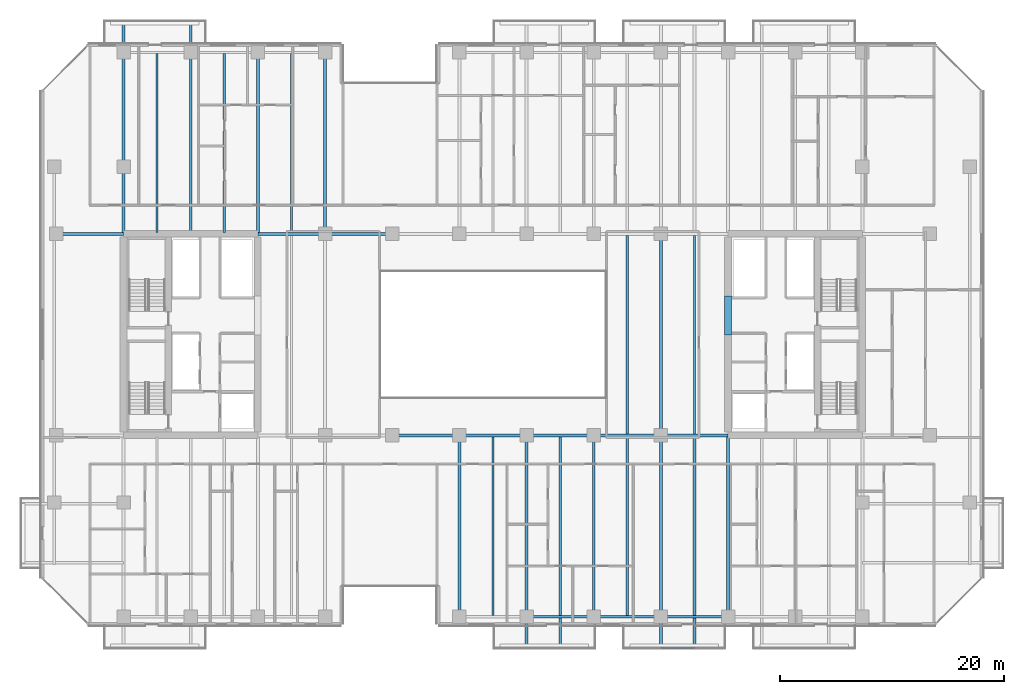
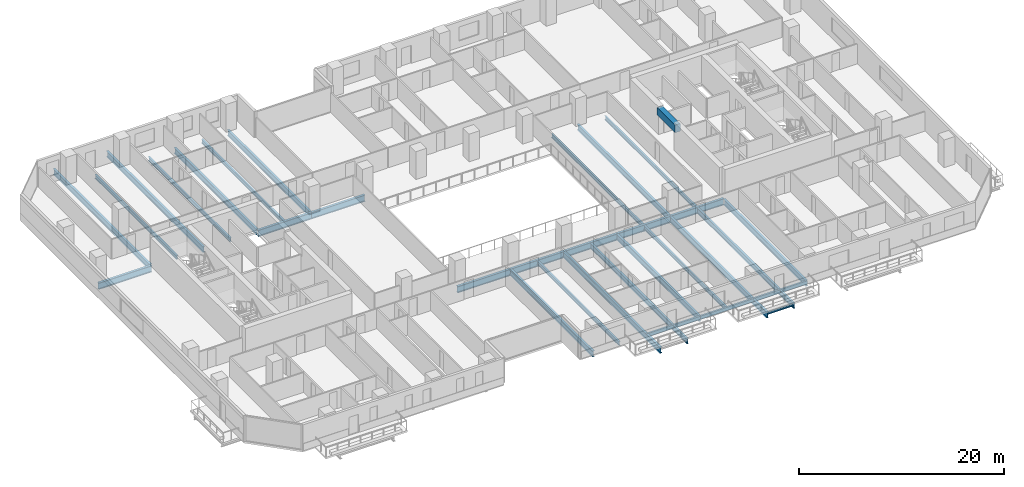
# One storey, part 7 of 33: 32 beams.
"""IFC4 building model written with IfcOpenShell, lengths in metres."""

from ifc_helpers import new_model, si_unit, direction, frame, origin, origin_2d, place, context, subcontext, project, spatial, rectangle, hollow_rectangle, i_section, extrude, material, material_profile, profile_set, type_object, element, save


model = new_model("IFC4")

# Units and contexts
model_context = context("Model", 3, precision=1e-05, world=origin(), true_north=direction((0.0, 1.0)))
body_context = subcontext(model_context, "Body", "Model", "MODEL_VIEW")
ifc_project = project(units=[si_unit("LENGTHUNIT", "METRE"), si_unit("AREAUNIT", "SQUARE_METRE"), si_unit("VOLUMEUNIT", "CUBIC_METRE"), si_unit("PLANEANGLEUNIT", "RADIAN"), si_unit("MASSUNIT", "GRAM", prefix="KILO")], contexts=[model_context])

# Site, building, storey
site_placement = place(None, origin())
site = spatial("IfcSite", under=ifc_project, at=site_placement, CompositionType="ELEMENT")
building_placement = place(site_placement, origin())
building = spatial("IfcBuilding", under=site, at=building_placement, Name="Tanjung Sevakor Pilgrim Tower", CompositionType="ELEMENT")
storey_placement = place(building_placement, frame((0.0, 0.0, 38.93994140625)))
storey = spatial("IfcBuildingStorey", under=building, at=storey_placement, Name="L10", CompositionType="ELEMENT", Elevation=38.93994140625)

# Beams
ifc_material_1 = material(Name="Steel S355J2", Category="steel")
ifc_material_profile_1 = material_profile(ifc_material_1, i_section(OverallWidth=0.26806640625, OverallDepth=0.769775390625, WebThickness=0.015625, FlangeThickness=0.025390625, FilletRadius=0.0166015625, at=origin_2d()))
ifc_profile_set_1 = profile_set([ifc_material_profile_1], Name="Steel S355J2")
beam_type_1 = type_object("IfcBeamType", Name="BM-B-G1-UB_762x267x197", PredefinedType="BEAM", material=ifc_profile_set_1)
for number, where, z_axis, x_axis, name in (
    (1, (48.0, 24.60009765625, -0.604736328125), (1.0, 0.0, 0.0), (0.0, 1.0, 0.0), "L10 Primary Floor Girder MAIN Y246-04"),
    (2, (54.0, 24.60009765625, -0.604736328125), (1.0, 0.0, 0.0), (0.0, 1.0, 0.0), "L10 Primary Floor Girder MAIN Y246-05"),
    (3, (60.0, 24.60009765625, -0.604736328125), (1.0, 0.0, 0.0), (0.0, 1.0, 0.0), "L10 Primary Floor Girder MAIN Y246-06"),
    (4, (66.0, 24.60009765625, -0.604736328125), (1.0, 0.0, 0.0), (0.0, 1.0, 0.0), "L10 Primary Floor Girder MAIN Y246-07"),
    (5, (72.0, 24.60009765625, -0.604736328125), (1.0, 0.0, 0.0), (0.0, 1.0, 0.0), "L10 Primary Floor Girder MAIN Y246-08"),
    (6, (18.0, 42.60009765625, -0.604736328125), (1.0, 0.0, 0.0), (0.0, 1.0, 0.0), "L10 Primary Floor Girder MAIN Y426-01"),
    (7, (36.0, 42.60009765625, -0.604736328125), (1.0, 0.0, 0.0), (0.0, 1.0, 0.0), "L10 Primary Floor Girder MAIN Y426-02"),
    (8, (42.0, 42.60009765625, -0.604736328125), (1.0, 0.0, 0.0), (0.0, 1.0, 0.0), "L10 Primary Floor Girder MAIN Y426-03"),
):
    element("IfcBeam", number, at=place(storey_placement, frame(where, z_axis=z_axis, x_axis=x_axis)), inside=storey, type_object=beam_type_1, Name=name, PredefinedType="BEAM", context=body_context, shape_type="SweptSolid", body=[
        extrude(i_section(OverallWidth=0.26806640625, OverallDepth=0.769775390625, WebThickness=0.015625, FlangeThickness=0.025390625, FilletRadius=0.0166015625, at=origin_2d()), origin(), (0.0, 0.0, 1.0), 6.0),
    ])
ifc_material_2 = material(Name="Steel S355J2", Category="steel")
ifc_material_profile_2 = material_profile(ifc_material_2, i_section(OverallWidth=0.25439453125, OverallDepth=0.6875, WebThickness=0.01318359375, FlangeThickness=0.02099609375, FilletRadius=0.01513671875, at=origin_2d()))
ifc_profile_set_2 = profile_set([ifc_material_profile_2], Name="Steel S355J2")
beam_type_2 = type_object("IfcBeamType", Name="BM-B-G2-UB_686x254x152", PredefinedType="BEAM", material=ifc_profile_set_2)
for number, where, z_axis, x_axis, name in (
    (9, (24.0, 42.73388671875, -0.563720703125), (0.0, 1.0, 0.0), (-1.0, 0.0, 0.0), "L10 Balcony Cantilever Beam MAIN-N1-1"),
    (10, (30.0, 42.73388671875, -0.563720703125), (0.0, 1.0, 0.0), (-1.0, 0.0, 0.0), "L10 Balcony Cantilever Beam MAIN-N1-2"),
):
    element("IfcBeam", number, at=place(storey_placement, frame(where, z_axis=z_axis, x_axis=x_axis)), inside=storey, type_object=beam_type_2, Name=name, PredefinedType="BEAM", context=body_context, shape_type="SweptSolid", body=[
        extrude(i_section(OverallWidth=0.25439453125, OverallDepth=0.6875, WebThickness=0.01318359375, FlangeThickness=0.02099609375, FilletRadius=0.01513671875, at=origin_2d()), origin(), (0.0, 0.0, 1.0), 18.84619140625),
    ])
beam_1_placement = place(storey_placement, frame((36.0, 42.73388671875, -0.563720703125), z_axis=(0.0, 1.0, 0.0), x_axis=(-1.0, 0.0, 0.0)))
element("IfcBeam", 11, at=beam_1_placement, inside=storey, type_object=beam_type_2, Name="L10 MAIN Girder 006", PredefinedType="BEAM", context=body_context, shape_type="SweptSolid", body=[
    extrude(i_section(OverallWidth=0.25439453125, OverallDepth=0.6875, WebThickness=0.01318359375, FlangeThickness=0.02099609375, FilletRadius=0.01513671875, at=origin_2d()), origin(), (0.0, 0.0, 1.0), 16.066162109375),
])
beam_2_placement = place(storey_placement, frame((42.0, 42.60009765625, -0.563720703125), z_axis=(0.0, 1.0, 0.0), x_axis=(-1.0, 0.0, 0.0)))
element("IfcBeam", 12, at=beam_2_placement, inside=storey, type_object=beam_type_2, Name="L10 MAIN Girder 012", PredefinedType="BEAM", context=body_context, shape_type="SweptSolid", body=[
    extrude(i_section(OverallWidth=0.25439453125, OverallDepth=0.6875, WebThickness=0.01318359375, FlangeThickness=0.02099609375, FilletRadius=0.01513671875, at=origin_2d()), origin(), (0.0, 0.0, 1.0), 16.199951171875),
])
beam_3_placement = place(storey_placement, frame((54.0, 8.39990234375, -0.563720703125), z_axis=(0.0, 1.0, 0.0), x_axis=(-1.0, 0.0, 0.0)))
element("IfcBeam", 13, at=beam_3_placement, inside=storey, type_object=beam_type_2, Name="L10 MAIN Girder 013", PredefinedType="BEAM", context=body_context, shape_type="SweptSolid", body=[
    extrude(i_section(OverallWidth=0.25439453125, OverallDepth=0.6875, WebThickness=0.01318359375, FlangeThickness=0.02099609375, FilletRadius=0.01513671875, at=origin_2d()), origin(), (0.0, 0.0, 1.0), 16.2001953125),
])
beam_4_placement = place(storey_placement, frame((60.0, 24.60009765625, -0.563720703125), z_axis=(0.0, -1.0, 0.0), x_axis=(1.0, 0.0, 0.0)))
element("IfcBeam", 14, at=beam_4_placement, inside=storey, type_object=beam_type_2, Name="L10 Balcony Cantilever Beam MAIN-S2-1", PredefinedType="BEAM", context=body_context, shape_type="SweptSolid", body=[
    extrude(i_section(OverallWidth=0.25439453125, OverallDepth=0.6875, WebThickness=0.01318359375, FlangeThickness=0.02099609375, FilletRadius=0.01513671875, at=origin_2d()), origin(), (0.0, 0.0, 1.0), 18.97998046875),
])
beam_5_placement = place(storey_placement, frame((66.0, 8.39990234375, -0.563720703125), z_axis=(0.0, 1.0, 0.0), x_axis=(-1.0, 0.0, 0.0)))
element("IfcBeam", 15, at=beam_5_placement, inside=storey, type_object=beam_type_2, Name="L10 MAIN Girder 017", PredefinedType="BEAM", context=body_context, shape_type="SweptSolid", body=[
    extrude(i_section(OverallWidth=0.25439453125, OverallDepth=0.6875, WebThickness=0.01318359375, FlangeThickness=0.02099609375, FilletRadius=0.01513671875, at=origin_2d()), origin(), (0.0, 0.0, 1.0), 16.2001953125),
])
beam_6_placement = place(storey_placement, frame((72.0, 24.60009765625, -0.563720703125), z_axis=(0.0, -1.0, 0.0), x_axis=(1.0, 0.0, 0.0)))
element("IfcBeam", 16, at=beam_6_placement, inside=storey, type_object=beam_type_2, Name="L10 Balcony Cantilever Beam MAIN-S3-1", PredefinedType="BEAM", context=body_context, shape_type="SweptSolid", body=[
    extrude(i_section(OverallWidth=0.25439453125, OverallDepth=0.6875, WebThickness=0.01318359375, FlangeThickness=0.02099609375, FilletRadius=0.01513671875, at=origin_2d()), origin(), (0.0, 0.0, 1.0), 18.97998046875),
])
beam_7_placement = place(storey_placement, frame((72.0, 24.60009765625, -0.563720703125), z_axis=(0.0, 1.0, 0.0), x_axis=(-1.0, 0.0, 0.0)))
element("IfcBeam", 17, at=beam_7_placement, inside=storey, type_object=beam_type_2, Name="L10 MAIN Girder 022", PredefinedType="BEAM", context=body_context, shape_type="SweptSolid", body=[
    extrude(i_section(OverallWidth=0.25439453125, OverallDepth=0.6875, WebThickness=0.01318359375, FlangeThickness=0.02099609375, FilletRadius=0.01513671875, at=origin_2d()), origin(), (0.0, 0.0, 1.0), 18.0),
])
beam_8_placement = place(storey_placement, frame((78.0, 8.39990234375, -0.563720703125), z_axis=(0.0, 1.0, 0.0), x_axis=(-1.0, 0.0, 0.0)))
element("IfcBeam", 18, at=beam_8_placement, inside=storey, type_object=beam_type_2, Name="L10 MAIN Girder 024", PredefinedType="BEAM", context=body_context, shape_type="SweptSolid", body=[
    extrude(i_section(OverallWidth=0.25439453125, OverallDepth=0.6875, WebThickness=0.01318359375, FlangeThickness=0.02099609375, FilletRadius=0.01513671875, at=origin_2d()), origin(), (0.0, 0.0, 1.0), 16.066162109375),
])
ifc_material_3 = material(Name="Steel S355J2", Category="steel")
ifc_material_profile_3 = material_profile(ifc_material_3, i_section(OverallWidth=0.22900390625, OverallDepth=0.6123046875, WebThickness=0.011962890625, FlangeThickness=0.01953125, FilletRadius=0.0126953125, at=origin_2d()))
ifc_profile_set_3 = profile_set([ifc_material_profile_3], Name="Steel S355J2")
beam_type_3 = type_object("IfcBeamType", Name="BM-B-G4-UB_610x229x125", PredefinedType="BEAM", material=ifc_profile_set_3)
for number, where, z_axis, x_axis, name in (
    (19, (63.0, 24.466064453125, -0.526123046875), (0.0, -1.0, 0.0), (1.0, 0.0, 0.0), "L10 Balcony Cantilever Beam MAIN-S2-2"),
    (20, (75.0, 24.466064453125, -0.526123046875), (0.0, -1.0, 0.0), (1.0, 0.0, 0.0), "L10 Balcony Cantilever Beam MAIN-S3-2"),
):
    element("IfcBeam", number, at=place(storey_placement, frame(where, z_axis=z_axis, x_axis=x_axis)), inside=storey, type_object=beam_type_3, Name=name, PredefinedType="BEAM", context=body_context, shape_type="SweptSolid", body=[
        extrude(i_section(OverallWidth=0.22900390625, OverallDepth=0.6123046875, WebThickness=0.011962890625, FlangeThickness=0.01953125, FilletRadius=0.0126953125, at=origin_2d()), origin(), (0.0, 0.0, 1.0), 18.845947265625),
    ])
ifc_material_4 = material(Name="Steel S355J2", Category="steel")
ifc_material_profile_4 = material_profile(ifc_material_4, i_section(OverallWidth=0.19140625, OverallDepth=0.4599609375, WebThickness=0.010009765625, FlangeThickness=0.01611328125, FilletRadius=0.01025390625, at=origin_2d()))
ifc_profile_set_4 = profile_set([ifc_material_profile_4], Name="Steel S355J2")
beam_type_4 = type_object("IfcBeamType", Name="BM-B-J2-UB_457x191x82", PredefinedType="JOIST", material=ifc_profile_set_4)
for number, where, z_axis, x_axis, name in (
    (21, (27.0, 42.73388671875, -0.449951171875), (0.0, 1.0, 0.0), (-1.0, 0.0, 0.0), "L10 MAIN Joist 002"),
    (22, (33.0, 42.73388671875, -0.449951171875), (0.0, 1.0, 0.0), (-1.0, 0.0, 0.0), "L10 MAIN Joist 004"),
    (23, (39.0, 42.73388671875, -0.449951171875), (0.0, 1.0, 0.0), (-1.0, 0.0, 0.0), "L10 MAIN Joist 009"),
    (24, (57.0, 8.5, -0.449951171875), (0.0, 1.0, 0.0), (-1.0, 0.0, 0.0), "L10 MAIN Joist 015"),
    (25, (69.0, 8.5, -0.449951171875), (0.0, 1.0, 0.0), (-1.0, 0.0, 0.0), "L10 MAIN Joist 019"),
):
    element("IfcBeam", number, at=place(storey_placement, frame(where, z_axis=z_axis, x_axis=x_axis)), inside=storey, type_object=beam_type_4, Name=name, PredefinedType="JOIST", context=body_context, shape_type="SweptSolid", body=[
        extrude(i_section(OverallWidth=0.19140625, OverallDepth=0.4599609375, WebThickness=0.010009765625, FlangeThickness=0.01611328125, FilletRadius=0.01025390625, at=origin_2d()), origin(), (0.0, 0.0, 1.0), 15.966064453125),
    ])
for number, where, z_axis, x_axis, name in (
    (26, (69.0, 24.73388671875, -0.449951171875), (0.0, 1.0, 0.0), (-1.0, 0.0, 0.0), "L10 MAIN Joist 020"),
    (27, (75.0, 24.73388671875, -0.449951171875), (0.0, 1.0, 0.0), (-1.0, 0.0, 0.0), "L10 MAIN Joist 023"),
):
    element("IfcBeam", number, at=place(storey_placement, frame(where, z_axis=z_axis, x_axis=x_axis)), inside=storey, type_object=beam_type_4, Name=name, PredefinedType="JOIST", context=body_context, shape_type="SweptSolid", body=[
        extrude(i_section(OverallWidth=0.19140625, OverallDepth=0.4599609375, WebThickness=0.010009765625, FlangeThickness=0.01611328125, FilletRadius=0.01025390625, at=origin_2d()), origin(), (0.0, 0.0, 1.0), 17.732177734375),
    ])
ifc_material_5 = material(Name="Steel S355J2", Category="steel")
ifc_material_profile_5 = material_profile(ifc_material_5, i_section(OverallWidth=0.146484375, OverallDepth=0.256103515625, WebThickness=0.00634765625, FlangeThickness=0.010986328125, FilletRadius=0.007568359375, at=origin_2d()))
ifc_profile_set_5 = profile_set([ifc_material_profile_5], Name="Steel S355J2")
beam_type_5 = type_object("IfcBeamType", Name="BM-B-J6-UB_254x146x37", PredefinedType="JOIST", material=ifc_profile_set_5)
beam_9_placement = place(storey_placement, frame((72.0, 5.6201171875, -0.327880859375), z_axis=(1.0, 0.0, 0.0), x_axis=(0.0, 1.0, 0.0)))
element("IfcBeam", 28, at=beam_9_placement, inside=storey, type_object=beam_type_5, Name="L10 Balcony Rim Tie MAIN-S3", PredefinedType="JOIST", context=body_context, shape_type="SweptSolid", body=[
    extrude(i_section(OverallWidth=0.146484375, OverallDepth=0.256103515625, WebThickness=0.00634765625, FlangeThickness=0.010986328125, FilletRadius=0.007568359375, at=origin_2d()), origin(), (0.0, 0.0, 1.0), 3.0),
])
ifc_material_6 = material(Name="Concrete C60/75", Category="concrete")
ifc_material_profile_6 = material_profile(ifc_material_6, rectangle(XDim=0.60009765625, YDim=0.89990234375, at=origin_2d()))
ifc_profile_set_6 = profile_set([ifc_material_profile_6], Name="Concrete C60/75")
beam_type_6 = type_object("IfcBeamType", Name="BM-B-LN1-RC-BM_600x900", PredefinedType="LINTEL", material=ifc_profile_set_6)
beam_10_placement = place(storey_placement, frame((78.0, 33.550048828125, 2.630126953125), z_axis=(0.0, 1.0, 0.0), x_axis=(-1.0, 0.0, 0.0)))
element("IfcBeam", 29, at=beam_10_placement, inside=storey, type_object=beam_type_6, Name="L10 E Core Coupling Lintel", PredefinedType="LINTEL", context=body_context, shape_type="SweptSolid", body=[
    extrude(rectangle(XDim=0.60009765625, YDim=0.89990234375, at=origin_2d()), origin(), (0.0, 0.0, 1.0), 3.5),
])
ifc_material_7 = material(Name="Steel S355J2", Category="steel")
ifc_material_profile_7 = material_profile(ifc_material_7, hollow_rectangle(XDim=0.199951171875, YDim=0.39990234375, WallThickness=0.01611328125, at=origin_2d()))
ifc_profile_set_7 = profile_set([ifc_material_profile_7], Name="Steel S355J2")
beam_type_7 = type_object("IfcBeamType", Name="BM-B-SP2-RHS_400x200x16", PredefinedType="SPANDREL", material=ifc_profile_set_7)
for number, where, z_axis, x_axis, name in (
    (30, (60.0, 8.39990234375, -0.419921875), (1.0, 0.0, 0.0), (0.0, 1.0, 0.0), "L10 Spandrel MAIN S-09"),
    (31, (66.0, 8.39990234375, -0.419921875), (1.0, 0.0, 0.0), (0.0, 1.0, 0.0), "L10 Spandrel MAIN S-11"),
    (32, (72.0, 8.39990234375, -0.419921875), (1.0, 0.0, 0.0), (0.0, 1.0, 0.0), "L10 Spandrel MAIN S-13"),
):
    element("IfcBeam", number, at=place(storey_placement, frame(where, z_axis=z_axis, x_axis=x_axis)), inside=storey, type_object=beam_type_7, Name=name, PredefinedType="SPANDREL", context=body_context, shape_type="SweptSolid", body=[
        extrude(hollow_rectangle(XDim=0.199951171875, YDim=0.39990234375, WallThickness=0.01611328125, at=origin_2d()), origin(), (0.0, 0.0, 1.0), 6.0),
    ])

save(model, "model.ifc")
